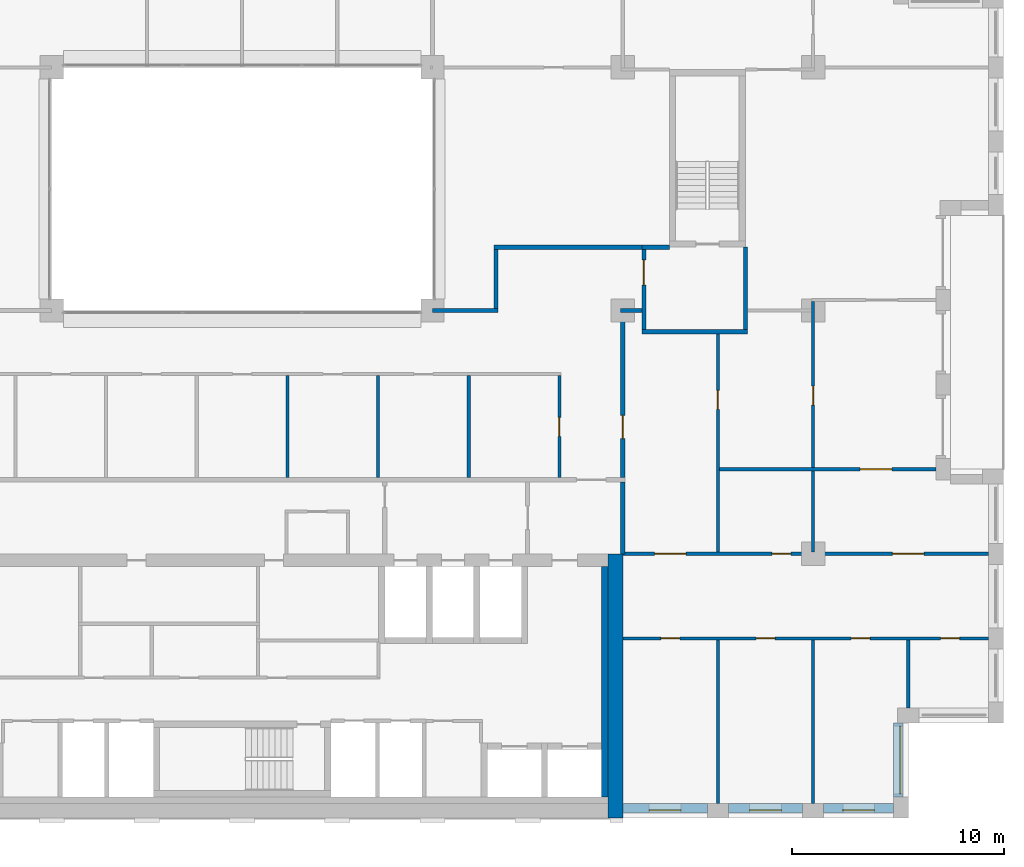
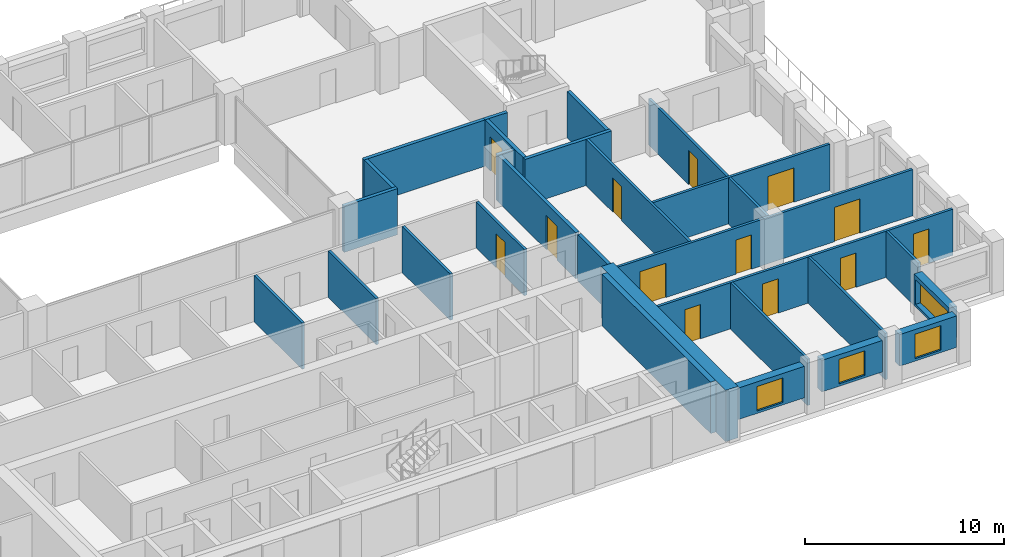
# One storey, part 11 of 15: 29 walls, 13 doors, 4 windows, 17 openings.
"""IFC4 building model written with IfcOpenShell, lengths in metres."""

from ifc_helpers import new_model, si_unit, direction, frame, frame_2d, origin, place, context, subcontext, project, spatial, rectangle, extrude, material, layer, layer_set, type_object, element, fill, save


model = new_model("IFC4")

# Units and contexts
model_context = context("Model", 3, precision=1e-05, world=origin(), true_north=direction((0.0, 1.0)))
body_context = subcontext(model_context, "Body", "Model", "MODEL_VIEW")
ifc_project = project(units=[si_unit("LENGTHUNIT", "METRE"), si_unit("AREAUNIT", "SQUARE_METRE"), si_unit("VOLUMEUNIT", "CUBIC_METRE"), si_unit("PLANEANGLEUNIT", "RADIAN"), si_unit("MASSUNIT", "GRAM", prefix="KILO")], contexts=[model_context])

# Site, building, storey
site_placement = place(None, origin())
site = spatial("IfcSite", under=ifc_project, at=site_placement, CompositionType="ELEMENT")
building_placement = place(site_placement, origin())
building = spatial("IfcBuilding", under=site, at=building_placement, Name="Brigalow Station Residences", CompositionType="ELEMENT")
storey_placement = place(building_placement, frame((0.0, 0.0, 172.800048828125)))
storey = spatial("IfcBuildingStorey", under=building, at=storey_placement, Name="L50", CompositionType="ELEMENT", Elevation=172.800048828125)

# Wall, opening, window
ifc_material_1 = material(Name="Clay brick masonry", Category="masonry")
ifc_layer_1 = layer(ifc_material_1, 0.449951171875)
ifc_layer_set_1 = layer_set([ifc_layer_1], Name="BRICK INFILL WALL 450")
wall_type_1 = type_object("IfcWallType", Name="BRICK INFILL WALL 450", PredefinedType="SOLIDWALL", material=ifc_layer_set_1)
wall_1_placement = place(storey_placement, frame((54.0, 0.47509765625, 0.89990234375), z_axis=(0.0, 0.0, 1.0), x_axis=(1.0, 0.0, 0.0)))
wall_1 = element("IfcWall", 1, at=wall_1_placement, inside=storey, type_object=wall_type_1, Name="L50/ewall/W-L50-4", PredefinedType="SOLIDWALL", context=body_context, shape_type="SweptSolid", body=[
    extrude(rectangle(XDim=4.0, YDim=0.449951171875, at=frame_2d((2.0, 0.0))), origin(), (0.0, 0.0, 1.0), 1.929931640625),
])
opening_1_placement = place(wall_1_placement, frame((1.25, 0.0, 0.14990234375)))
opening_1 = element("IfcOpeningElement", 2, at=opening_1_placement, cuts=wall_1, Name="Opening WT-1", PredefinedType="OPENING", context=body_context, shape_type="SweptSolid", body=[
    extrude(rectangle(XDim=1.5, YDim=1.5, at=frame_2d((0.75, 0.75))), frame((0.0, 0.23486328125, 0.0), z_axis=(0.0, -1.0, 0.0), x_axis=(1.0, 0.0, 0.0)), (0.0, 0.0, 1.0), 0.469970703125),
])
ifc_material_2 = material(Name="Anodised aluminium frame with double glazing", Category="aluminium")
window_type_1 = type_object("IfcWindowType", Name="WINDOW 1500x1500", PartitioningType="SINGLE_PANEL", PredefinedType="WINDOW", material=ifc_material_2)
window_1_placement = place(opening_1_placement, origin())
window_1 = element("IfcWindow", 3, at=window_1_placement, inside=storey, type_object=window_type_1, Name="L50/window/W-L50-4", OverallHeight=1.5, OverallWidth=1.5, PartitioningType="SINGLE_PANEL", PredefinedType="WINDOW", context=body_context, shape_type="SweptSolid", body=[
    extrude(rectangle(XDim=1.5, YDim=1.5, at=frame_2d((0.75, 0.75))), frame((0.0, -0.06494140625, 0.0), z_axis=(0.0, -1.0, 0.0), x_axis=(1.0, 0.0, 0.0)), (0.0, 0.0, 1.0), 0.06005859375),
])
fill(opening_1, window_1)

wall_2_placement = place(storey_placement, frame((59.0, 0.47509765625, 0.89990234375), z_axis=(0.0, 0.0, 1.0), x_axis=(1.0, 0.0, 0.0)))
wall_2 = element("IfcWall", 4, at=wall_2_placement, inside=storey, type_object=wall_type_1, Name="L50/ewall/W-L50-5", PredefinedType="SOLIDWALL", context=body_context, shape_type="SweptSolid", body=[
    extrude(rectangle(XDim=3.5, YDim=0.449951171875, at=frame_2d((1.75, 0.0))), origin(), (0.0, 0.0, 1.0), 1.929931640625),
])
opening_2_placement = place(wall_2_placement, frame((1.0, 0.0, 0.14990234375)))
opening_2 = element("IfcOpeningElement", 5, at=opening_2_placement, cuts=wall_2, Name="Opening WT-1", PredefinedType="OPENING", context=body_context, shape_type="SweptSolid", body=[
    extrude(rectangle(XDim=1.5, YDim=1.5, at=frame_2d((0.75, 0.75))), frame((0.0, 0.23486328125, 0.0), z_axis=(0.0, -1.0, 0.0), x_axis=(1.0, 0.0, 0.0)), (0.0, 0.0, 1.0), 0.469970703125),
])
window_2_placement = place(opening_2_placement, origin())
window_2 = element("IfcWindow", 6, at=window_2_placement, inside=storey, type_object=window_type_1, Name="L50/window/W-L50-5", OverallHeight=1.5, OverallWidth=1.5, PartitioningType="SINGLE_PANEL", PredefinedType="WINDOW", context=body_context, shape_type="SweptSolid", body=[
    extrude(rectangle(XDim=1.5, YDim=1.5, at=frame_2d((0.75, 0.75))), frame((0.0, -0.06494140625, 0.0), z_axis=(0.0, -1.0, 0.0), x_axis=(1.0, 0.0, 0.0)), (0.0, 0.0, 1.0), 0.06005859375),
])
fill(opening_2, window_2)

wall_3_placement = place(storey_placement, frame((63.5, 0.47509765625, 0.89990234375), z_axis=(0.0, 0.0, 1.0), x_axis=(1.0, 0.0, 0.0)))
wall_3 = element("IfcWall", 7, at=wall_3_placement, inside=storey, type_object=wall_type_1, Name="L50/ewall/W-L50-6", PredefinedType="SOLIDWALL", context=body_context, shape_type="SweptSolid", body=[
    extrude(rectangle(XDim=3.300048828125, YDim=0.449951171875, at=frame_2d((1.64990234375, 0.0))), origin(), (0.0, 0.0, 1.0), 1.929931640625),
])
opening_3_placement = place(wall_3_placement, frame((0.89990234375, 0.0, 0.14990234375)))
opening_3 = element("IfcOpeningElement", 8, at=opening_3_placement, cuts=wall_3, Name="Opening WT-1", PredefinedType="OPENING", context=body_context, shape_type="SweptSolid", body=[
    extrude(rectangle(XDim=1.5, YDim=1.5, at=frame_2d((0.75, 0.75))), frame((0.0, 0.23486328125, 0.0), z_axis=(0.0, -1.0, 0.0), x_axis=(1.0, 0.0, 0.0)), (0.0, 0.0, 1.0), 0.469970703125),
])
window_3_placement = place(opening_3_placement, origin())
window_3 = element("IfcWindow", 9, at=window_3_placement, inside=storey, type_object=window_type_1, Name="L50/window/W-L50-6", OverallHeight=1.5, OverallWidth=1.5, PartitioningType="SINGLE_PANEL", PredefinedType="WINDOW", context=body_context, shape_type="SweptSolid", body=[
    extrude(rectangle(XDim=1.5, YDim=1.5, at=frame_2d((0.75, 0.75))), frame((0.0, -0.06494140625, 0.0), z_axis=(0.0, -1.0, 0.0), x_axis=(1.0, 0.0, 0.0)), (0.0, 0.0, 1.0), 0.06005859375),
])
fill(opening_3, window_3)

wall_4_placement = place(storey_placement, frame((67.02490234375, 1.0, 0.89990234375), z_axis=(0.0, 0.0, 1.0), x_axis=(0.0, 1.0, 0.0)))
wall_4 = element("IfcWall", 10, at=wall_4_placement, inside=storey, type_object=wall_type_1, Name="L50/ewall/W-L50-7", PredefinedType="SOLIDWALL", context=body_context, shape_type="SweptSolid", body=[
    extrude(rectangle(XDim=3.5, YDim=0.449951171875, at=frame_2d((1.75, 0.0))), origin(), (0.0, 0.0, 1.0), 1.929931640625),
])
opening_4_placement = place(wall_4_placement, frame((0.14990234375, 0.0, 0.14990234375)))
opening_4 = element("IfcOpeningElement", 11, at=opening_4_placement, cuts=wall_4, Name="Opening WT-9", PredefinedType="OPENING", context=body_context, shape_type="SweptSolid", body=[
    extrude(rectangle(XDim=3.199951171875, YDim=1.5, at=frame_2d((1.60009765625, 0.75))), frame((0.0, 0.23486328125, 0.0), z_axis=(0.0, -1.0, 0.0), x_axis=(1.0, 0.0, 0.0)), (0.0, 0.0, 1.0), 0.469970703125),
])
ifc_material_3 = material(Name="Anodised aluminium frame with double glazing", Category="aluminium")
window_type_2 = type_object("IfcWindowType", Name="WINDOW 3200x1500", PartitioningType="SINGLE_PANEL", PredefinedType="WINDOW", material=ifc_material_3)
window_4_placement = place(opening_4_placement, origin())
window_4 = element("IfcWindow", 12, at=window_4_placement, inside=storey, type_object=window_type_2, Name="L50/window/W-L50-7", OverallHeight=1.5, OverallWidth=3.199951171875, PartitioningType="SINGLE_PANEL", PredefinedType="WINDOW", context=body_context, shape_type="SweptSolid", body=[
    extrude(rectangle(XDim=3.199951171875, YDim=1.5, at=frame_2d((1.60009765625, 0.75))), frame((0.0, -0.06494140625, 0.0), z_axis=(0.0, -1.0, 0.0), x_axis=(1.0, 0.0, 0.0)), (0.0, 0.0, 1.0), 0.06005859375),
])
fill(opening_4, window_4)

# Walls
ifc_material_4 = material(Name="Concrete C65", Category="concrete")
ifc_layer_2 = layer(ifc_material_4, 0.300048828125)
ifc_layer_set_2 = layer_set([ifc_layer_2], Name="CORE SHEAR WALL 300 C65")
wall_type_2 = type_object("IfcWallType", Name="CORE SHEAR WALL 300 C65", PredefinedType="SHEAR", material=ifc_layer_set_2)
wall_5_placement = place(storey_placement, frame((53.14990234375, 1.0, 0.0), z_axis=(0.0, 0.0, 1.0), x_axis=(0.0, 1.0, 0.0)))
element("IfcWall", 13, at=wall_5_placement, inside=storey, type_object=wall_type_2, Name="CORE WALL LIN-E L50", PredefinedType="SHEAR", context=body_context, shape_type="SweptSolid", body=[
    extrude(rectangle(XDim=10.89990234375, YDim=0.300048828125, at=frame_2d((5.449951171875, 0.0))), origin(), (0.0, 0.0, 1.0), 3.14990234375),
])
ifc_material_5 = material(Name="Concrete C65", Category="concrete")
ifc_layer_3 = layer(ifc_material_5, 0.699951171875)
ifc_layer_set_3 = layer_set([ifc_layer_3], Name="CORE SHEAR WALL 700 C65")
wall_type_3 = type_object("IfcWallType", Name="CORE SHEAR WALL 700 C65", PredefinedType="SHEAR", material=ifc_layer_set_3)
wall_6_placement = place(storey_placement, frame((53.64990234375, 0.0, 0.0), z_axis=(0.0, 0.0, 1.0), x_axis=(0.0, 1.0, 0.0)))
element("IfcWall", 14, at=wall_6_placement, inside=storey, type_object=wall_type_3, Name="CORE WALL OUT-E L50", PredefinedType="SHEAR", context=body_context, shape_type="SweptSolid", body=[
    extrude(rectangle(XDim=12.5, YDim=0.699951171875, at=frame_2d((6.25, 0.0))), origin(), (0.0, 0.0, 1.0), 3.14990234375),
])
ifc_material_6 = material(Name="Concrete blockwork", Category="masonry")
ifc_layer_4 = layer(ifc_material_6, 0.199951171875)
ifc_layer_set_4 = layer_set([ifc_layer_4], Name="FIRE RATED CORE PARTITION 200")
wall_type_4 = type_object("IfcWallType", Name="FIRE RATED CORE PARTITION 200", PredefinedType="PARTITIONING", material=ifc_layer_set_4)
wall_7_placement = place(storey_placement, frame((54.89990234375, 23.0, 0.0), z_axis=(0.0, 0.0, 1.0), x_axis=(1.0, 0.0, 0.0)))
element("IfcWall", 15, at=wall_7_placement, inside=storey, type_object=wall_type_4, Name="PW-5024", PredefinedType="PARTITIONING", context=body_context, shape_type="SweptSolid", body=[
    extrude(rectangle(XDim=5.0, YDim=0.199951171875, at=frame_2d((2.5, 0.0))), origin(), (0.0, 0.0, 1.0), 2.829833984375),
])
wall_8_placement = place(storey_placement, frame((54.89990234375, 27.0, 0.0), z_axis=(0.0, 0.0, 1.0), x_axis=(1.0, 0.0, 0.0)))
element("IfcWall", 16, at=wall_8_placement, inside=storey, type_object=wall_type_4, Name="PW-5026", PredefinedType="PARTITIONING", context=body_context, shape_type="SweptSolid", body=[
    extrude(rectangle(XDim=1.300048828125, YDim=0.199951171875, at=frame_2d((0.64990234375, 0.0))), origin(), (0.0, 0.0, 1.0), 2.829833984375),
])
wall_9_placement = place(storey_placement, frame((54.0, 12.5, 0.0), z_axis=(0.0, 0.0, 1.0), x_axis=(0.0, 1.0, 0.0)))
element("IfcWall", 17, at=wall_9_placement, inside=storey, type_object=wall_type_4, Name="PW-5016", PredefinedType="PARTITIONING", context=body_context, shape_type="SweptSolid", body=[
    extrude(rectangle(XDim=3.39990234375, YDim=0.199951171875, at=frame_2d((1.699951171875, 0.0))), origin(), (0.0, 0.0, 1.0), 2.829833984375),
])

# Wall, opening, door
wall_10_placement = place(storey_placement, frame((55.0, 23.10009765625, 0.0), z_axis=(0.0, 0.0, 1.0), x_axis=(0.0, 1.0, 0.0)))
wall_10 = element("IfcWall", 18, at=wall_10_placement, inside=storey, type_object=wall_type_4, Name="PW-5036", PredefinedType="PARTITIONING", context=body_context, shape_type="SweptSolid", body=[
    extrude(rectangle(XDim=3.7998046875, YDim=0.199951171875, at=frame_2d((1.89990234375, 0.0))), origin(), (0.0, 0.0, 1.0), 2.829833984375),
])
opening_5_placement = place(wall_10_placement, frame((2.10009765625, 0.0, 0.0)))
opening_5 = element("IfcOpeningElement", 19, at=opening_5_placement, cuts=wall_10, Name="Opening D-5019", PredefinedType="OPENING", context=body_context, shape_type="SweptSolid", body=[
    extrude(rectangle(XDim=1.199951171875, YDim=2.10009765625, at=frame_2d((0.60009765625, 1.050048828125))), frame((0.0, 0.10986328125, 0.0), z_axis=(0.0, -1.0, 0.0), x_axis=(1.0, 0.0, 0.0)), (0.0, 0.0, 1.0), 0.219970703125),
])
ifc_material_7 = material(Name="Steel fire door leaf in steel frame", Category="steel")
door_type_1 = type_object("IfcDoorType", Name="STAIR LOBBY DOOR 1200 x 2100 FD60S", OperationType="SINGLE_SWING_LEFT", PredefinedType="DOOR", material=ifc_material_7)
door_1_placement = place(opening_5_placement, frame((1.199951171875, 0.0, 0.0), z_axis=(0.0, 0.0, 1.0), x_axis=(-1.0, 0.0, 0.0)))
door_1 = element("IfcDoor", 20, at=door_1_placement, inside=storey, type_object=door_type_1, Name="D-5019", OperationType="SINGLE_SWING_LEFT", OverallHeight=2.10009765625, OverallWidth=1.199951171875, PredefinedType="DOOR", context=body_context, shape_type="SweptSolid", body=[
    extrude(rectangle(XDim=1.199951171875, YDim=2.10009765625, at=frame_2d((0.60009765625, 1.050048828125))), frame((0.0, 0.02490234375, 0.0), z_axis=(0.0, -1.0, 0.0), x_axis=(1.0, 0.0, 0.0)), (0.0, 0.0, 1.0), 0.050048828125),
])
fill(opening_5, door_1)

# Wall
wall_11_placement = place(storey_placement, frame((59.800048828125, 23.10009765625, 0.0), z_axis=(0.0, 0.0, 1.0), x_axis=(0.0, 1.0, 0.0)))
element("IfcWall", 21, at=wall_11_placement, inside=storey, type_object=wall_type_4, Name="PW-5037", PredefinedType="PARTITIONING", context=body_context, shape_type="SweptSolid", body=[
    extrude(rectangle(XDim=3.89990234375, YDim=0.199951171875, at=frame_2d((1.949951171875, 0.0))), origin(), (0.0, 0.0, 1.0), 2.829833984375),
])

# Wall, openings, doors
ifc_material_8 = material(Name="Plasterboard on steel stud partition", Category="steel")
ifc_layer_5 = layer(ifc_material_8, 0.14990234375)
ifc_layer_set_5 = layer_set([ifc_layer_5], Name="FLAT PARTITION 150")
wall_type_5 = type_object("IfcWallType", Name="FLAT PARTITION 150", PredefinedType="PARTITIONING", material=ifc_layer_set_5)
wall_12_placement = place(storey_placement, frame((54.0, 8.5, 0.0), z_axis=(0.0, 0.0, 1.0), x_axis=(1.0, 0.0, 0.0)))
wall_12 = element("IfcWall", 22, at=wall_12_placement, inside=storey, type_object=wall_type_5, Name="PW-3E10", PredefinedType="PARTITIONING", context=body_context, shape_type="SweptSolid", body=[
    extrude(rectangle(XDim=17.300048828125, YDim=0.14990234375, at=frame_2d((8.64990234375, 0.0))), origin(), (0.0, 0.0, 1.0), 2.829833984375),
])
opening_6_placement = place(wall_12_placement, frame((1.800048828125, 0.0, 0.0)))
opening_6 = element("IfcOpeningElement", 23, at=opening_6_placement, cuts=wall_12, Name="Opening D-3E21", PredefinedType="OPENING", context=body_context, shape_type="SweptSolid", body=[
    extrude(rectangle(XDim=0.89990234375, YDim=2.10009765625, at=frame_2d((0.449951171875, 1.050048828125))), frame((0.0, 0.0849609375, 0.0), z_axis=(0.0, -1.0, 0.0), x_axis=(1.0, 0.0, 0.0)), (0.0, 0.0, 1.0), 0.169921875),
])
opening_7_placement = place(wall_12_placement, frame((6.300048828125, 0.0, 0.0)))
opening_7 = element("IfcOpeningElement", 24, at=opening_7_placement, cuts=wall_12, Name="Opening D-3E22", PredefinedType="OPENING", context=body_context, shape_type="SweptSolid", body=[
    extrude(rectangle(XDim=0.89990234375, YDim=2.10009765625, at=frame_2d((0.449951171875, 1.050048828125))), frame((0.0, 0.0849609375, 0.0), z_axis=(0.0, -1.0, 0.0), x_axis=(1.0, 0.0, 0.0)), (0.0, 0.0, 1.0), 0.169921875),
])
opening_8_placement = place(wall_12_placement, frame((10.800048828125, 0.0, 0.0)))
opening_8 = element("IfcOpeningElement", 25, at=opening_8_placement, cuts=wall_12, Name="Opening D-3E23", PredefinedType="OPENING", context=body_context, shape_type="SweptSolid", body=[
    extrude(rectangle(XDim=0.89990234375, YDim=2.10009765625, at=frame_2d((0.449951171875, 1.050048828125))), frame((0.0, 0.0849609375, 0.0), z_axis=(0.0, -1.0, 0.0), x_axis=(1.0, 0.0, 0.0)), (0.0, 0.0, 1.0), 0.169921875),
])
opening_9_placement = place(wall_12_placement, frame((15.02490234375, 0.0, 0.0)))
opening_9 = element("IfcOpeningElement", 26, at=opening_9_placement, cuts=wall_12, Name="Opening D-3E24", PredefinedType="OPENING", context=body_context, shape_type="SweptSolid", body=[
    extrude(rectangle(XDim=0.89990234375, YDim=2.10009765625, at=frame_2d((0.449951171875, 1.050048828125))), frame((0.0, 0.0849609375, 0.0), z_axis=(0.0, -1.0, 0.0), x_axis=(1.0, 0.0, 0.0)), (0.0, 0.0, 1.0), 0.169921875),
])
ifc_material_9 = material(Name="Solid-core timber door leaf", Category="wood")
door_type_2 = type_object("IfcDoorType", Name="INTERNAL DOOR 900 x 2100", OperationType="SINGLE_SWING_LEFT", PredefinedType="DOOR", material=ifc_material_9)
door_2_placement = place(opening_6_placement, frame((0.89990234375, 0.0, 0.0), z_axis=(0.0, 0.0, 1.0), x_axis=(-1.0, 0.0, 0.0)))
door_2 = element("IfcDoor", 27, at=door_2_placement, inside=storey, type_object=door_type_2, Name="D-3E21", OperationType="SINGLE_SWING_LEFT", OverallHeight=2.10009765625, OverallWidth=0.89990234375, PredefinedType="DOOR", context=body_context, shape_type="SweptSolid", body=[
    extrude(rectangle(XDim=0.89990234375, YDim=2.10009765625, at=frame_2d((0.449951171875, 1.050048828125))), frame((0.0, 0.02490234375, 0.0), z_axis=(0.0, -1.0, 0.0), x_axis=(1.0, 0.0, 0.0)), (0.0, 0.0, 1.0), 0.050048828125),
])
fill(opening_6, door_2)
door_3_placement = place(opening_7_placement, frame((0.89990234375, 0.0, 0.0), z_axis=(0.0, 0.0, 1.0), x_axis=(-1.0, 0.0, 0.0)))
door_3 = element("IfcDoor", 28, at=door_3_placement, inside=storey, type_object=door_type_2, Name="D-3E22", OperationType="SINGLE_SWING_LEFT", OverallHeight=2.10009765625, OverallWidth=0.89990234375, PredefinedType="DOOR", context=body_context, shape_type="SweptSolid", body=[
    extrude(rectangle(XDim=0.89990234375, YDim=2.10009765625, at=frame_2d((0.449951171875, 1.050048828125))), frame((0.0, 0.02490234375, 0.0), z_axis=(0.0, -1.0, 0.0), x_axis=(1.0, 0.0, 0.0)), (0.0, 0.0, 1.0), 0.050048828125),
])
fill(opening_7, door_3)
door_4_placement = place(opening_8_placement, frame((0.89990234375, 0.0, 0.0), z_axis=(0.0, 0.0, 1.0), x_axis=(-1.0, 0.0, 0.0)))
door_4 = element("IfcDoor", 29, at=door_4_placement, inside=storey, type_object=door_type_2, Name="D-3E23", OperationType="SINGLE_SWING_LEFT", OverallHeight=2.10009765625, OverallWidth=0.89990234375, PredefinedType="DOOR", context=body_context, shape_type="SweptSolid", body=[
    extrude(rectangle(XDim=0.89990234375, YDim=2.10009765625, at=frame_2d((0.449951171875, 1.050048828125))), frame((0.0, 0.02490234375, 0.0), z_axis=(0.0, -1.0, 0.0), x_axis=(1.0, 0.0, 0.0)), (0.0, 0.0, 1.0), 0.050048828125),
])
fill(opening_8, door_4)
door_5_placement = place(opening_9_placement, frame((0.89990234375, 0.0, 0.0), z_axis=(0.0, 0.0, 1.0), x_axis=(-1.0, 0.0, 0.0)))
door_5 = element("IfcDoor", 30, at=door_5_placement, inside=storey, type_object=door_type_2, Name="D-3E24", OperationType="SINGLE_SWING_LEFT", OverallHeight=2.10009765625, OverallWidth=0.89990234375, PredefinedType="DOOR", context=body_context, shape_type="SweptSolid", body=[
    extrude(rectangle(XDim=0.89990234375, YDim=2.10009765625, at=frame_2d((0.449951171875, 1.050048828125))), frame((0.0, 0.02490234375, 0.0), z_axis=(0.0, -1.0, 0.0), x_axis=(1.0, 0.0, 0.0)), (0.0, 0.0, 1.0), 0.050048828125),
])
fill(opening_9, door_5)

# Wall, opening, door
wall_13_placement = place(storey_placement, frame((58.574951171875, 16.5, 0.0), z_axis=(0.0, 0.0, 1.0), x_axis=(1.0, 0.0, 0.0)))
wall_13 = element("IfcWall", 31, at=wall_13_placement, inside=storey, type_object=wall_type_5, Name="PW-3E12", PredefinedType="PARTITIONING", context=body_context, shape_type="SweptSolid", body=[
    extrude(rectangle(XDim=10.22509765625, YDim=0.14990234375, at=frame_2d((5.112548828125, 0.0))), origin(), (0.0, 0.0, 1.0), 2.829833984375),
])
opening_10_placement = place(wall_13_placement, frame((6.64990234375, 0.0, 0.0)))
opening_10 = element("IfcOpeningElement", 32, at=opening_10_placement, cuts=wall_13, Name="Opening D-3E28", PredefinedType="OPENING", context=body_context, shape_type="SweptSolid", body=[
    extrude(rectangle(XDim=1.5, YDim=2.10009765625, at=frame_2d((0.75, 1.050048828125))), frame((0.0, 0.0849609375, 0.0), z_axis=(0.0, -1.0, 0.0), x_axis=(1.0, 0.0, 0.0)), (0.0, 0.0, 1.0), 0.169921875),
])
ifc_material_10 = material(Name="Solid-core timber door leaf", Category="wood")
door_type_3 = type_object("IfcDoorType", Name="INTERNAL DOUBLE DOOR 1500 x 2100", OperationType="DOUBLE_DOOR_SINGLE_SWING", PredefinedType="DOOR", material=ifc_material_10)
door_6_placement = place(opening_10_placement, frame((1.5, 0.0, 0.0), z_axis=(0.0, 0.0, 1.0), x_axis=(-1.0, 0.0, 0.0)))
door_6 = element("IfcDoor", 33, at=door_6_placement, inside=storey, type_object=door_type_3, Name="D-3E28", OperationType="DOUBLE_DOOR_SINGLE_SWING", OverallHeight=2.10009765625, OverallWidth=1.5, PredefinedType="DOOR", context=body_context, shape_type="SweptSolid", body=[
    extrude(rectangle(XDim=1.5, YDim=2.10009765625, at=frame_2d((0.75, 1.050048828125))), frame((0.0, 0.02490234375, 0.0), z_axis=(0.0, -1.0, 0.0), x_axis=(1.0, 0.0, 0.0)), (0.0, 0.0, 1.0), 0.050048828125),
])
fill(opening_10, door_6)

# Wall, openings, doors
wall_14_placement = place(storey_placement, frame((54.0, 12.5, 0.0), z_axis=(0.0, 0.0, 1.0), x_axis=(1.0, 0.0, 0.0)))
wall_14 = element("IfcWall", 34, at=wall_14_placement, inside=storey, type_object=wall_type_5, Name="PW-3E14", PredefinedType="PARTITIONING", context=body_context, shape_type="SweptSolid", body=[
    extrude(rectangle(XDim=17.300048828125, YDim=0.14990234375, at=frame_2d((8.64990234375, 0.0))), origin(), (0.0, 0.0, 1.0), 2.829833984375),
])
opening_11_placement = place(wall_14_placement, frame((1.5, 0.0, 0.0)))
opening_11 = element("IfcOpeningElement", 35, at=opening_11_placement, cuts=wall_14, Name="Opening D-3E20", PredefinedType="OPENING", context=body_context, shape_type="SweptSolid", body=[
    extrude(rectangle(XDim=1.5, YDim=2.10009765625, at=frame_2d((0.75, 1.050048828125))), frame((0.0, 0.0849609375, 0.0), z_axis=(0.0, -1.0, 0.0), x_axis=(1.0, 0.0, 0.0)), (0.0, 0.0, 1.0), 0.169921875),
])
opening_12_placement = place(wall_14_placement, frame((7.050048828125, 0.0, 0.0)))
opening_12 = element("IfcOpeningElement", 36, at=opening_12_placement, cuts=wall_14, Name="Opening D-3E25", PredefinedType="OPENING", context=body_context, shape_type="SweptSolid", body=[
    extrude(rectangle(XDim=0.89990234375, YDim=2.10009765625, at=frame_2d((0.449951171875, 1.050048828125))), frame((0.0, 0.0849609375, 0.0), z_axis=(0.0, -1.0, 0.0), x_axis=(1.0, 0.0, 0.0)), (0.0, 0.0, 1.0), 0.169921875),
])
opening_13_placement = place(wall_14_placement, frame((12.75, 0.0, 0.0)))
opening_13 = element("IfcOpeningElement", 37, at=opening_13_placement, cuts=wall_14, Name="Opening D-3E26", PredefinedType="OPENING", context=body_context, shape_type="SweptSolid", body=[
    extrude(rectangle(XDim=1.5, YDim=2.10009765625, at=frame_2d((0.75, 1.050048828125))), frame((0.0, 0.0849609375, 0.0), z_axis=(0.0, -1.0, 0.0), x_axis=(1.0, 0.0, 0.0)), (0.0, 0.0, 1.0), 0.169921875),
])
door_7_placement = place(opening_12_placement, origin())
door_7 = element("IfcDoor", 38, at=door_7_placement, inside=storey, type_object=door_type_2, Name="D-3E25", OperationType="SINGLE_SWING_RIGHT", OverallHeight=2.10009765625, OverallWidth=0.89990234375, PredefinedType="DOOR", context=body_context, shape_type="SweptSolid", body=[
    extrude(rectangle(XDim=0.89990234375, YDim=2.10009765625, at=frame_2d((0.449951171875, 1.050048828125))), frame((0.0, 0.02490234375, 0.0), z_axis=(0.0, -1.0, 0.0), x_axis=(1.0, 0.0, 0.0)), (0.0, 0.0, 1.0), 0.050048828125),
])
fill(opening_12, door_7)
door_8_placement = place(opening_11_placement, origin())
door_8 = element("IfcDoor", 39, at=door_8_placement, inside=storey, type_object=door_type_3, Name="D-3E20", OperationType="DOUBLE_DOOR_SINGLE_SWING", OverallHeight=2.10009765625, OverallWidth=1.5, PredefinedType="DOOR", context=body_context, shape_type="SweptSolid", body=[
    extrude(rectangle(XDim=1.5, YDim=2.10009765625, at=frame_2d((0.75, 1.050048828125))), frame((0.0, 0.02490234375, 0.0), z_axis=(0.0, -1.0, 0.0), x_axis=(1.0, 0.0, 0.0)), (0.0, 0.0, 1.0), 0.050048828125),
])
fill(opening_11, door_8)
door_9_placement = place(opening_13_placement, origin())
door_9 = element("IfcDoor", 40, at=door_9_placement, inside=storey, type_object=door_type_3, Name="D-3E26", OperationType="DOUBLE_DOOR_SINGLE_SWING", OverallHeight=2.10009765625, OverallWidth=1.5, PredefinedType="DOOR", context=body_context, shape_type="SweptSolid", body=[
    extrude(rectangle(XDim=1.5, YDim=2.10009765625, at=frame_2d((0.75, 1.050048828125))), frame((0.0, 0.02490234375, 0.0), z_axis=(0.0, -1.0, 0.0), x_axis=(1.0, 0.0, 0.0)), (0.0, 0.0, 1.0), 0.050048828125),
])
fill(opening_13, door_9)

# Wall, opening, door
wall_15_placement = place(storey_placement, frame((51.0, 16.10009765625, 0.0), z_axis=(0.0, 0.0, 1.0), x_axis=(0.0, 1.0, 0.0)))
wall_15 = element("IfcWall", 41, at=wall_15_placement, inside=storey, type_object=wall_type_5, Name="PW-3E32", PredefinedType="PARTITIONING", context=body_context, shape_type="SweptSolid", body=[
    extrude(rectangle(XDim=4.824951171875, YDim=0.14990234375, at=frame_2d((2.41259765625, 0.0))), origin(), (0.0, 0.0, 1.0), 2.829833984375),
])
opening_14_placement = place(wall_15_placement, frame((1.949951171875, 0.0, 0.0)))
opening_14 = element("IfcOpeningElement", 42, at=opening_14_placement, cuts=wall_15, Name="Opening D-3E41", PredefinedType="OPENING", context=body_context, shape_type="SweptSolid", body=[
    extrude(rectangle(XDim=0.89990234375, YDim=2.10009765625, at=frame_2d((0.449951171875, 1.050048828125))), frame((0.0, 0.0849609375, 0.0), z_axis=(0.0, -1.0, 0.0), x_axis=(1.0, 0.0, 0.0)), (0.0, 0.0, 1.0), 0.169921875),
])
door_10_placement = place(opening_14_placement, origin())
door_10 = element("IfcDoor", 43, at=door_10_placement, inside=storey, type_object=door_type_2, Name="D-3E41", OperationType="SINGLE_SWING_LEFT", OverallHeight=2.10009765625, OverallWidth=0.89990234375, PredefinedType="DOOR", context=body_context, shape_type="SweptSolid", body=[
    extrude(rectangle(XDim=0.89990234375, YDim=2.10009765625, at=frame_2d((0.449951171875, 1.050048828125))), frame((0.0, 0.02490234375, 0.0), z_axis=(0.0, -1.0, 0.0), x_axis=(1.0, 0.0, 0.0)), (0.0, 0.0, 1.0), 0.050048828125),
])
fill(opening_14, door_10)

# Wall
wall_16_placement = place(storey_placement, frame((58.5, 0.699951171875, 0.0), z_axis=(0.0, 0.0, 1.0), x_axis=(0.0, 1.0, 0.0)))
element("IfcWall", 44, at=wall_16_placement, inside=storey, type_object=wall_type_5, Name="PW-3E44", PredefinedType="PARTITIONING", context=body_context, shape_type="SweptSolid", body=[
    extrude(rectangle(XDim=7.72509765625, YDim=0.14990234375, at=frame_2d((3.862548828125, 0.0))), origin(), (0.0, 0.0, 1.0), 2.829833984375),
])

# Wall, opening, door
wall_17_placement = place(storey_placement, frame((58.5, 12.574951171875, 0.0), z_axis=(0.0, 0.0, 1.0), x_axis=(0.0, 1.0, 0.0)))
wall_17 = element("IfcWall", 45, at=wall_17_placement, inside=storey, type_object=wall_type_5, Name="PW-3E45", PredefinedType="PARTITIONING", context=body_context, shape_type="SweptSolid", body=[
    extrude(rectangle(XDim=10.324951171875, YDim=0.14990234375, at=frame_2d((5.16259765625, 0.0))), origin(), (0.0, 0.0, 1.0), 2.829833984375),
])
opening_15_placement = place(wall_17_placement, frame((6.75, 0.0, 0.0)))
opening_15 = element("IfcOpeningElement", 46, at=opening_15_placement, cuts=wall_17, Name="Opening D-3E19", PredefinedType="OPENING", context=body_context, shape_type="SweptSolid", body=[
    extrude(rectangle(XDim=0.89990234375, YDim=2.10009765625, at=frame_2d((0.449951171875, 1.050048828125))), frame((0.0, 0.0849609375, 0.0), z_axis=(0.0, -1.0, 0.0), x_axis=(1.0, 0.0, 0.0)), (0.0, 0.0, 1.0), 0.169921875),
])
door_11_placement = place(opening_15_placement, frame((0.89990234375, 0.0, 0.0), z_axis=(0.0, 0.0, 1.0), x_axis=(-1.0, 0.0, 0.0)))
door_11 = element("IfcDoor", 47, at=door_11_placement, inside=storey, type_object=door_type_2, Name="D-3E19", OperationType="SINGLE_SWING_LEFT", OverallHeight=2.10009765625, OverallWidth=0.89990234375, PredefinedType="DOOR", context=body_context, shape_type="SweptSolid", body=[
    extrude(rectangle(XDim=0.89990234375, YDim=2.10009765625, at=frame_2d((0.449951171875, 1.050048828125))), frame((0.0, 0.02490234375, 0.0), z_axis=(0.0, -1.0, 0.0), x_axis=(1.0, 0.0, 0.0)), (0.0, 0.0, 1.0), 0.050048828125),
])
fill(opening_15, door_11)

# Walls
wall_18_placement = place(storey_placement, frame((63.0, 0.699951171875, 0.0), z_axis=(0.0, 0.0, 1.0), x_axis=(0.0, 1.0, 0.0)))
element("IfcWall", 48, at=wall_18_placement, inside=storey, type_object=wall_type_5, Name="PW-3E46", PredefinedType="PARTITIONING", context=body_context, shape_type="SweptSolid", body=[
    extrude(rectangle(XDim=7.72509765625, YDim=0.14990234375, at=frame_2d((3.862548828125, 0.0))), origin(), (0.0, 0.0, 1.0), 2.829833984375),
])
wall_19_placement = place(storey_placement, frame((63.0, 12.574951171875, 0.0), z_axis=(0.0, 0.0, 1.0), x_axis=(0.0, 1.0, 0.0)))
element("IfcWall", 49, at=wall_19_placement, inside=storey, type_object=wall_type_5, Name="PW-3E47", PredefinedType="PARTITIONING", context=body_context, shape_type="SweptSolid", body=[
    extrude(rectangle(XDim=3.85009765625, YDim=0.14990234375, at=frame_2d((1.925048828125, 0.0))), origin(), (0.0, 0.0, 1.0), 2.829833984375),
])

# Wall, opening, door
wall_20_placement = place(storey_placement, frame((63.0, 16.574951171875, 0.0), z_axis=(0.0, 0.0, 1.0), x_axis=(0.0, 1.0, 0.0)))
wall_20 = element("IfcWall", 50, at=wall_20_placement, inside=storey, type_object=wall_type_5, Name="PW-3E48", PredefinedType="PARTITIONING", context=body_context, shape_type="SweptSolid", body=[
    extrude(rectangle(XDim=7.85009765625, YDim=0.14990234375, at=frame_2d((3.925048828125, 0.0))), origin(), (0.0, 0.0, 1.0), 2.829833984375),
])
opening_16_placement = place(wall_20_placement, frame((2.949951171875, 0.0, 0.0)))
opening_16 = element("IfcOpeningElement", 51, at=opening_16_placement, cuts=wall_20, Name="Opening D-3E27", PredefinedType="OPENING", context=body_context, shape_type="SweptSolid", body=[
    extrude(rectangle(XDim=0.89990234375, YDim=2.10009765625, at=frame_2d((0.449951171875, 1.050048828125))), frame((0.0, 0.0849609375, 0.0), z_axis=(0.0, -1.0, 0.0), x_axis=(1.0, 0.0, 0.0)), (0.0, 0.0, 1.0), 0.169921875),
])
door_12_placement = place(opening_16_placement, origin())
door_12 = element("IfcDoor", 52, at=door_12_placement, inside=storey, type_object=door_type_2, Name="D-3E27", OperationType="SINGLE_SWING_LEFT", OverallHeight=2.10009765625, OverallWidth=0.89990234375, PredefinedType="DOOR", context=body_context, shape_type="SweptSolid", body=[
    extrude(rectangle(XDim=0.89990234375, YDim=2.10009765625, at=frame_2d((0.449951171875, 1.050048828125))), frame((0.0, 0.02490234375, 0.0), z_axis=(0.0, -1.0, 0.0), x_axis=(1.0, 0.0, 0.0)), (0.0, 0.0, 1.0), 0.050048828125),
])
fill(opening_16, door_12)

# Walls
wall_21_placement = place(storey_placement, frame((67.5, 5.199951171875, 0.0), z_axis=(0.0, 0.0, 1.0), x_axis=(0.0, 1.0, 0.0)))
element("IfcWall", 53, at=wall_21_placement, inside=storey, type_object=wall_type_5, Name="PW-3E50", PredefinedType="PARTITIONING", context=body_context, shape_type="SweptSolid", body=[
    extrude(rectangle(XDim=3.22509765625, YDim=0.14990234375, at=frame_2d((1.612548828125, 0.0))), origin(), (0.0, 0.0, 1.0), 2.829833984375),
])
for number, where, z_axis, x_axis, name in (
    (54, (38.14306640625, 16.10009765625, 0.0), (0.0, 0.0, 1.0), (0.0, 1.0, 0.0), "PW-3E54"),
    (55, (42.428955078125, 16.10009765625, 0.0), (0.0, 0.0, 1.0), (0.0, 1.0, 0.0), "PW-3E55"),
    (56, (46.714111328125, 16.10009765625, 0.0), (0.0, 0.0, 1.0), (0.0, 1.0, 0.0), "PW-3E56"),
):
    element("IfcWall", number, at=place(storey_placement, frame(where, z_axis=z_axis, x_axis=x_axis)), inside=storey, type_object=wall_type_5, Name=name, PredefinedType="PARTITIONING", context=body_context, shape_type="SweptSolid", body=[
        extrude(rectangle(XDim=4.824951171875, YDim=0.14990234375, at=frame_2d((2.41259765625, 0.0))), origin(), (0.0, 0.0, 1.0), 2.829833984375),
    ])
ifc_material_11 = material(Name="Plasterboard on steel stud partition", Category="steel")
ifc_layer_6 = layer(ifc_material_11, 0.199951171875)
ifc_layer_set_6 = layer_set([ifc_layer_6], Name="PARTY AND CORRIDOR WALL 200")
wall_type_6 = type_object("IfcWallType", Name="PARTY AND CORRIDOR WALL 200", PredefinedType="PARTITIONING", material=ifc_layer_set_6)
wall_22_placement = place(storey_placement, frame((45.0, 24.0, 0.0), z_axis=(0.0, 0.0, 1.0), x_axis=(1.0, 0.0, 0.0)))
element("IfcWall", 57, at=wall_22_placement, inside=storey, type_object=wall_type_6, Name="PW-3E04", PredefinedType="PARTITIONING", context=body_context, shape_type="SweptSolid", body=[
    extrude(rectangle(XDim=3.10009765625, YDim=0.199951171875, at=frame_2d((1.550048828125, 0.0))), origin(), (0.0, 0.0, 1.0), 2.829833984375),
])
wall_23_placement = place(storey_placement, frame((53.89990234375, 24.0, 0.0), z_axis=(0.0, 0.0, 1.0), x_axis=(1.0, 0.0, 0.0)))
element("IfcWall", 58, at=wall_23_placement, inside=storey, type_object=wall_type_6, Name="PW-3E05", PredefinedType="PARTITIONING", context=body_context, shape_type="SweptSolid", body=[
    extrude(rectangle(XDim=1.0, YDim=0.199951171875, at=frame_2d((0.5, 0.0))), origin(), (0.0, 0.0, 1.0), 2.829833984375),
])
wall_24_placement = place(storey_placement, frame((47.89990234375, 27.0, 0.0), z_axis=(0.0, 0.0, 1.0), x_axis=(1.0, 0.0, 0.0)))
element("IfcWall", 59, at=wall_24_placement, inside=storey, type_object=wall_type_6, Name="PW-3E08", PredefinedType="PARTITIONING", context=body_context, shape_type="SweptSolid", body=[
    extrude(rectangle(XDim=7.0, YDim=0.199951171875, at=frame_2d((3.5, 0.0))), origin(), (0.0, 0.0, 1.0), 2.829833984375),
])

# Wall, opening, door
wall_25_placement = place(storey_placement, frame((54.0, 16.10009765625, 0.0), z_axis=(0.0, 0.0, 1.0), x_axis=(0.0, 1.0, 0.0)))
wall_25 = element("IfcWall", 60, at=wall_25_placement, inside=storey, type_object=wall_type_6, Name="PW-3E30", PredefinedType="PARTITIONING", context=body_context, shape_type="SweptSolid", body=[
    extrude(rectangle(XDim=7.7998046875, YDim=0.199951171875, at=frame_2d((3.89990234375, 0.0))), origin(), (0.0, 0.0, 1.0), 2.829833984375),
])
opening_17_placement = place(wall_25_placement, frame((1.85009765625, 0.0, 0.0)))
opening_17 = element("IfcOpeningElement", 61, at=opening_17_placement, cuts=wall_25, Name="Opening D-3E18", PredefinedType="OPENING", context=body_context, shape_type="SweptSolid", body=[
    extrude(rectangle(XDim=1.10009765625, YDim=2.10009765625, at=frame_2d((0.550048828125, 1.050048828125))), frame((0.0, 0.10986328125, 0.0), z_axis=(0.0, -1.0, 0.0), x_axis=(1.0, 0.0, 0.0)), (0.0, 0.0, 1.0), 0.219970703125),
])
ifc_material_12 = material(Name="Solid-core timber door leaf", Category="wood")
door_type_4 = type_object("IfcDoorType", Name="FLAT ENTRANCE DOOR 1100 x 2100 FRL -/60/30", OperationType="SINGLE_SWING_LEFT", PredefinedType="DOOR", material=ifc_material_12)
door_13_placement = place(opening_17_placement, frame((1.10009765625, 0.0, 0.0), z_axis=(0.0, 0.0, 1.0), x_axis=(-1.0, 0.0, 0.0)))
door_13 = element("IfcDoor", 62, at=door_13_placement, inside=storey, type_object=door_type_4, Name="D-3E18", OperationType="SINGLE_SWING_LEFT", OverallHeight=2.10009765625, OverallWidth=1.10009765625, PredefinedType="DOOR", context=body_context, shape_type="SweptSolid", body=[
    extrude(rectangle(XDim=1.10009765625, YDim=2.10009765625, at=frame_2d((0.550048828125, 1.050048828125))), frame((0.0, 0.02490234375, 0.0), z_axis=(0.0, -1.0, 0.0), x_axis=(1.0, 0.0, 0.0)), (0.0, 0.0, 1.0), 0.050048828125),
])
fill(opening_17, door_13)

# Wall
wall_26_placement = place(storey_placement, frame((48.0, 24.10009765625, 0.0), z_axis=(0.0, 0.0, 1.0), x_axis=(0.0, 1.0, 0.0)))
element("IfcWall", 63, at=wall_26_placement, inside=storey, type_object=wall_type_6, Name="PW-3E34", PredefinedType="PARTITIONING", context=body_context, shape_type="SweptSolid", body=[
    extrude(rectangle(XDim=2.7998046875, YDim=0.199951171875, at=frame_2d((1.39990234375, 0.0))), origin(), (0.0, 0.0, 1.0), 2.829833984375),
])

save(model, "model.ifc")
